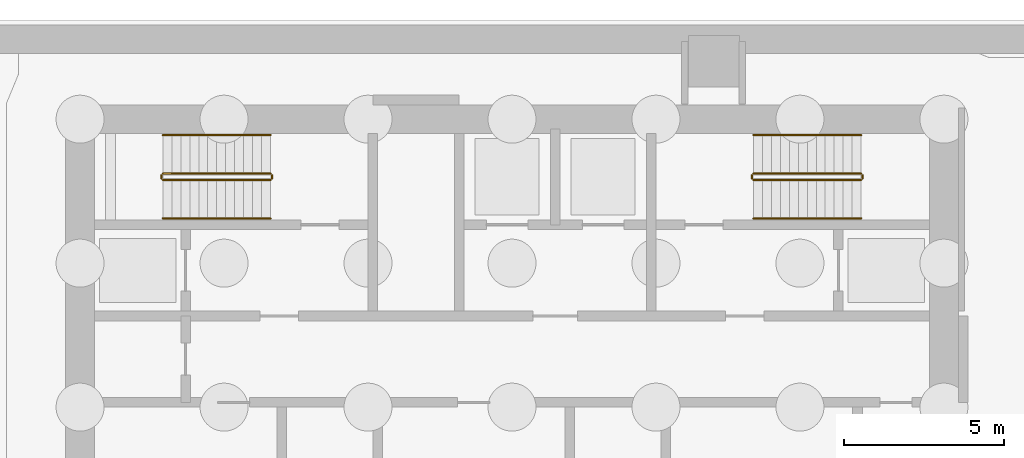
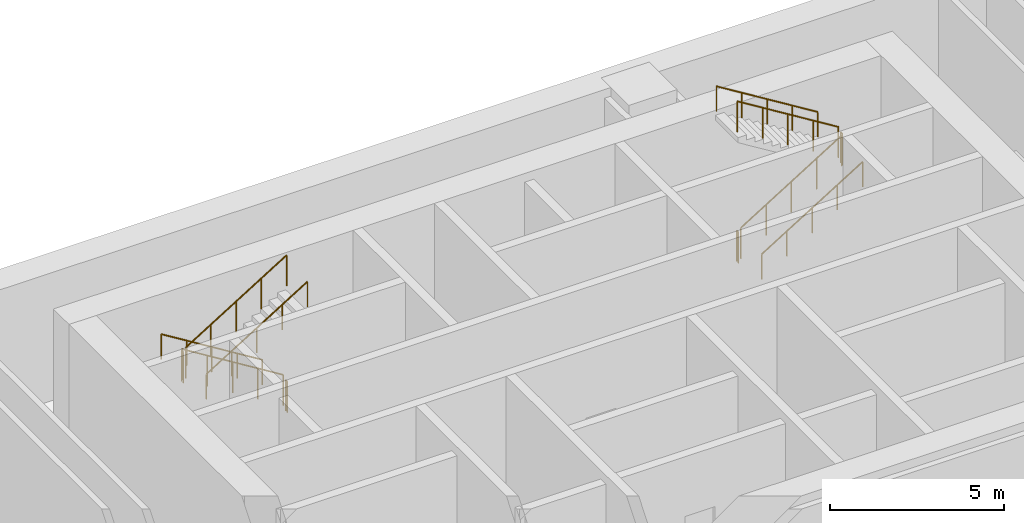
# One storey, part 11 of 13: 12 railings.
"""IFC4 building model written with IfcOpenShell, lengths in metres."""

from ifc_helpers import new_model, si_unit, direction, frame, origin, origin_2d, place, context, subcontext, project, spatial, circle, extrude, material, type_object, element, save


model = new_model("IFC4")

# Units and contexts
model_context = context("Model", 3, precision=1e-05, world=origin(), true_north=direction((0.0, 1.0)))
body_context = subcontext(model_context, "Body", "Model", "MODEL_VIEW")
ifc_project = project(units=[si_unit("LENGTHUNIT", "METRE"), si_unit("AREAUNIT", "SQUARE_METRE"), si_unit("VOLUMEUNIT", "CUBIC_METRE"), si_unit("PLANEANGLEUNIT", "RADIAN"), si_unit("MASSUNIT", "GRAM", prefix="KILO")], contexts=[model_context])

# Site, building, storey
site_placement = place(None, origin())
site = spatial("IfcSite", under=ifc_project, at=site_placement, CompositionType="ELEMENT")
building_placement = place(site_placement, origin())
building = spatial("IfcBuilding", under=site, at=building_placement, Name="Ogive Portal Towers", CompositionType="ELEMENT")
storey_placement = place(building_placement, frame((0.0, 0.0, -9.0)))
storey = spatial("IfcBuildingStorey", under=building, at=storey_placement, Name="B2", CompositionType="ELEMENT", Elevation=-9.0)

# Railings
ifc_material_1 = material(Name="Stainless steel balustrade", Category="steel")
railing_type_1 = type_object("IfcRailingType", Name="INT-GUARD", PredefinedType="GUARDRAIL", material=ifc_material_1)
railing_1_placement = place(storey_placement, frame((37.449951171875, 37.800048828125, 0.173095703125)))
element("IfcRailing", 1, at=railing_1_placement, inside=storey, type_object=railing_type_1, Name="B2 ST-A1 stair guard 1", PredefinedType="GUARDRAIL", context=body_context, shape_type="SweptSolid", body=[
    extrude(circle(Radius=0.02392578125, at=origin_2d()), frame((0.0, 0.0, 1.076171875), z_axis=(-0.850606129759, 0.0, 0.525803396734), x_axis=(0.0, -1.0, 0.0)), (0.0, 0.0, 1.0), 3.949951171875),
    extrude(circle(Radius=0.02099609375, at=origin_2d()), origin(), (0.0, 0.0, 1.0), 1.052001953125),
    extrude(circle(Radius=0.02099609375, at=origin_2d()), frame((-0.83984375, 0.0, 0.519287109375)), (0.0, 0.0, 1.0), 1.052001953125),
    extrude(circle(Radius=0.02099609375, at=origin_2d()), frame((-1.679931640625, 0.0, 1.03857421875)), (0.0, 0.0, 1.0), 1.052001953125),
    extrude(circle(Radius=0.02099609375, at=origin_2d()), frame((-2.52001953125, 0.0, 1.5576171875)), (0.0, 0.0, 1.0), 1.052001953125),
    extrude(circle(Radius=0.02099609375, at=origin_2d()), frame((-3.35986328125, 0.0, 2.076904296875)), (0.0, 0.0, 1.0), 1.052001953125),
])
railing_2_placement = place(storey_placement, frame((34.0400390625, 37.75, 2.25)))
element("IfcRailing", 2, at=railing_2_placement, inside=storey, type_object=railing_type_1, Name="B2 ST-A1 stair guard 2", PredefinedType="GUARDRAIL", context=body_context, shape_type="SweptSolid", body=[
    extrude(circle(Radius=0.02392578125, at=origin_2d()), frame((0.0, 0.0, 1.076171875), z_axis=(0.0, -1.0, 0.0), x_axis=(1.0, 0.0, 0.0)), (0.0, 0.0, 1.0), 0.10009765625),
    extrude(circle(Radius=0.02099609375, at=origin_2d()), origin(), (0.0, 0.0, 1.0), 1.052001953125),
    extrude(circle(Radius=0.02099609375, at=origin_2d()), frame((0.0, -0.10009765625, 0.0)), (0.0, 0.0, 1.0), 1.052001953125),
])
railing_3_placement = place(storey_placement, frame((34.090087890625, 37.60009765625, 2.423095703125)))
element("IfcRailing", 3, at=railing_3_placement, inside=storey, type_object=railing_type_1, Name="B2 ST-A1 stair guard 3", PredefinedType="GUARDRAIL", context=body_context, shape_type="SweptSolid", body=[
    extrude(circle(Radius=0.02392578125, at=origin_2d()), frame((0.0, 0.0, 1.076171875), z_axis=(0.850606129759, 0.0, 0.525803396734), x_axis=(0.0, 1.0, 0.0)), (0.0, 0.0, 1.0), 3.949951171875),
    extrude(circle(Radius=0.02099609375, at=origin_2d()), origin(), (0.0, 0.0, 1.0), 1.052001953125),
    extrude(circle(Radius=0.02099609375, at=origin_2d()), frame((0.83984375, 0.0, 0.519287109375)), (0.0, 0.0, 1.0), 1.052001953125),
    extrude(circle(Radius=0.02099609375, at=origin_2d()), frame((1.679931640625, 0.0, 1.03857421875)), (0.0, 0.0, 1.0), 1.052001953125),
    extrude(circle(Radius=0.02099609375, at=origin_2d()), frame((2.52001953125, 0.0, 1.5576171875)), (0.0, 0.0, 1.0), 1.052001953125),
    extrude(circle(Radius=0.02099609375, at=origin_2d()), frame((3.35986328125, 0.0, 2.076904296875)), (0.0, 0.0, 1.0), 1.052001953125),
])
railing_4_placement = place(storey_placement, frame((37.5, 37.75, 0.0)))
element("IfcRailing", 4, at=railing_4_placement, inside=storey, type_object=railing_type_1, Name="B2 ST-A1 stair guard 4", PredefinedType="GUARDRAIL", context=body_context, shape_type="SweptSolid", body=[
    extrude(circle(Radius=0.02392578125, at=origin_2d()), frame((0.0, 0.0, 1.076171875), z_axis=(0.0, -1.0, 0.0), x_axis=(1.0, 0.0, 0.0)), (0.0, 0.0, 1.0), 0.10009765625),
    extrude(circle(Radius=0.02099609375, at=origin_2d()), origin(), (0.0, 0.0, 1.0), 1.052001953125),
    extrude(circle(Radius=0.02099609375, at=origin_2d()), frame((0.0, -0.10009765625, 0.0)), (0.0, 0.0, 1.0), 1.052001953125),
])
railing_5_placement = place(storey_placement, frame((52.550048828125, 37.60009765625, 0.173095703125)))
element("IfcRailing", 5, at=railing_5_placement, inside=storey, type_object=railing_type_1, Name="B2 ST-A2 stair guard 1", PredefinedType="GUARDRAIL", context=body_context, shape_type="SweptSolid", body=[
    extrude(circle(Radius=0.02392578125, at=origin_2d()), frame((0.0, 0.0, 1.076171875), z_axis=(0.850606129759, 0.0, 0.525803396734), x_axis=(0.0, 1.0, 0.0)), (0.0, 0.0, 1.0), 3.949951171875),
    extrude(circle(Radius=0.02099609375, at=origin_2d()), origin(), (0.0, 0.0, 1.0), 1.052001953125),
    extrude(circle(Radius=0.02099609375, at=origin_2d()), frame((0.83984375, 0.0, 0.519287109375)), (0.0, 0.0, 1.0), 1.052001953125),
    extrude(circle(Radius=0.02099609375, at=origin_2d()), frame((1.679931640625, 0.0, 1.03857421875)), (0.0, 0.0, 1.0), 1.052001953125),
    extrude(circle(Radius=0.02099609375, at=origin_2d()), frame((2.52001953125, 0.0, 1.5576171875)), (0.0, 0.0, 1.0), 1.052001953125),
    extrude(circle(Radius=0.02099609375, at=origin_2d()), frame((3.35986328125, 0.0, 2.076904296875)), (0.0, 0.0, 1.0), 1.052001953125),
])
railing_6_placement = place(storey_placement, frame((55.9599609375, 37.64990234375, 2.25)))
element("IfcRailing", 6, at=railing_6_placement, inside=storey, type_object=railing_type_1, Name="B2 ST-A2 stair guard 2", PredefinedType="GUARDRAIL", context=body_context, shape_type="SweptSolid", body=[
    extrude(circle(Radius=0.02392578125, at=origin_2d()), frame((0.0, 0.0, 1.076171875), z_axis=(0.0, 1.0, 0.0), x_axis=(-1.0, 0.0, 0.0)), (0.0, 0.0, 1.0), 0.10009765625),
    extrude(circle(Radius=0.02099609375, at=origin_2d()), origin(), (0.0, 0.0, 1.0), 1.052001953125),
    extrude(circle(Radius=0.02099609375, at=origin_2d()), frame((0.0, 0.10009765625, 0.0)), (0.0, 0.0, 1.0), 1.052001953125),
])
railing_7_placement = place(storey_placement, frame((55.909912109375, 37.800048828125, 2.423095703125)))
element("IfcRailing", 7, at=railing_7_placement, inside=storey, type_object=railing_type_1, Name="B2 ST-A2 stair guard 3", PredefinedType="GUARDRAIL", context=body_context, shape_type="SweptSolid", body=[
    extrude(circle(Radius=0.02392578125, at=origin_2d()), frame((0.0, 0.0, 1.076171875), z_axis=(-0.850606129759, 0.0, 0.525803396734), x_axis=(0.0, -1.0, 0.0)), (0.0, 0.0, 1.0), 3.949951171875),
    extrude(circle(Radius=0.02099609375, at=origin_2d()), origin(), (0.0, 0.0, 1.0), 1.052001953125),
    extrude(circle(Radius=0.02099609375, at=origin_2d()), frame((-0.83984375, 0.0, 0.519287109375)), (0.0, 0.0, 1.0), 1.052001953125),
    extrude(circle(Radius=0.02099609375, at=origin_2d()), frame((-1.679931640625, 0.0, 1.03857421875)), (0.0, 0.0, 1.0), 1.052001953125),
    extrude(circle(Radius=0.02099609375, at=origin_2d()), frame((-2.52001953125, 0.0, 1.5576171875)), (0.0, 0.0, 1.0), 1.052001953125),
    extrude(circle(Radius=0.02099609375, at=origin_2d()), frame((-3.35986328125, 0.0, 2.076904296875)), (0.0, 0.0, 1.0), 1.052001953125),
])
railing_8_placement = place(storey_placement, frame((52.5, 37.64990234375, 0.0)))
element("IfcRailing", 8, at=railing_8_placement, inside=storey, type_object=railing_type_1, Name="B2 ST-A2 stair guard 4", PredefinedType="GUARDRAIL", context=body_context, shape_type="SweptSolid", body=[
    extrude(circle(Radius=0.02392578125, at=origin_2d()), frame((0.0, 0.0, 1.076171875), z_axis=(0.0, 1.0, 0.0), x_axis=(-1.0, 0.0, 0.0)), (0.0, 0.0, 1.0), 0.10009765625),
    extrude(circle(Radius=0.02099609375, at=origin_2d()), origin(), (0.0, 0.0, 1.0), 1.052001953125),
    extrude(circle(Radius=0.02099609375, at=origin_2d()), frame((0.0, 0.10009765625, 0.0)), (0.0, 0.0, 1.0), 1.052001953125),
])
ifc_material_2 = material(Name="Stainless steel handrail", Category="steel")
railing_type_2 = type_object("IfcRailingType", Name="INT-HANDRAIL", PredefinedType="HANDRAIL", material=ifc_material_2)
railing_9_placement = place(storey_placement, frame((37.449951171875, 39.0, 0.173095703125)))
element("IfcRailing", 9, at=railing_9_placement, inside=storey, type_object=railing_type_2, Name="B2 ST-A1 stair handrail 1", PredefinedType="HANDRAIL", context=body_context, shape_type="SweptSolid", body=[
    extrude(circle(Radius=0.02392578125, at=origin_2d()), frame((0.0, 0.0, 0.8759765625), z_axis=(-0.850606129759, 0.0, 0.525803396734), x_axis=(0.0, -1.0, 0.0)), (0.0, 0.0, 1.0), 3.949951171875),
    extrude(circle(Radius=0.02099609375, at=origin_2d()), origin(), (0.0, 0.0, 1.0), 0.851806640625),
    extrude(circle(Radius=0.02099609375, at=origin_2d()), frame((-0.83984375, 0.0, 0.519287109375)), (0.0, 0.0, 1.0), 0.851806640625),
    extrude(circle(Radius=0.02099609375, at=origin_2d()), frame((-1.679931640625, 0.0, 1.03857421875)), (0.0, 0.0, 1.0), 0.851806640625),
    extrude(circle(Radius=0.02099609375, at=origin_2d()), frame((-2.52001953125, 0.0, 1.5576171875)), (0.0, 0.0, 1.0), 0.851806640625),
    extrude(circle(Radius=0.02099609375, at=origin_2d()), frame((-3.35986328125, 0.0, 2.076904296875)), (0.0, 0.0, 1.0), 0.851806640625),
])
for number, where, name in (
    (10, (34.090087890625, 36.39990234375, 2.423095703125), "B2 ST-A1 stair handrail 2"),
    (11, (52.550048828125, 36.39990234375, 0.173095703125), "B2 ST-A2 stair handrail 1"),
):
    element("IfcRailing", number, at=place(storey_placement, frame(where)), inside=storey, type_object=railing_type_2, Name=name, PredefinedType="HANDRAIL", context=body_context, shape_type="SweptSolid", body=[
        extrude(circle(Radius=0.02392578125, at=origin_2d()), frame((0.0, 0.0, 0.8759765625), z_axis=(0.850606129759, 0.0, 0.525803396734), x_axis=(0.0, 1.0, 0.0)), (0.0, 0.0, 1.0), 3.949951171875),
        extrude(circle(Radius=0.02099609375, at=origin_2d()), origin(), (0.0, 0.0, 1.0), 0.851806640625),
        extrude(circle(Radius=0.02099609375, at=origin_2d()), frame((0.83984375, 0.0, 0.519287109375)), (0.0, 0.0, 1.0), 0.851806640625),
        extrude(circle(Radius=0.02099609375, at=origin_2d()), frame((1.679931640625, 0.0, 1.03857421875)), (0.0, 0.0, 1.0), 0.851806640625),
        extrude(circle(Radius=0.02099609375, at=origin_2d()), frame((2.52001953125, 0.0, 1.5576171875)), (0.0, 0.0, 1.0), 0.851806640625),
        extrude(circle(Radius=0.02099609375, at=origin_2d()), frame((3.35986328125, 0.0, 2.076904296875)), (0.0, 0.0, 1.0), 0.851806640625),
    ])
railing_10_placement = place(storey_placement, frame((55.909912109375, 39.0, 2.423095703125)))
element("IfcRailing", 12, at=railing_10_placement, inside=storey, type_object=railing_type_2, Name="B2 ST-A2 stair handrail 2", PredefinedType="HANDRAIL", context=body_context, shape_type="SweptSolid", body=[
    extrude(circle(Radius=0.02392578125, at=origin_2d()), frame((0.0, 0.0, 0.8759765625), z_axis=(-0.850606129759, 0.0, 0.525803396734), x_axis=(0.0, -1.0, 0.0)), (0.0, 0.0, 1.0), 3.949951171875),
    extrude(circle(Radius=0.02099609375, at=origin_2d()), origin(), (0.0, 0.0, 1.0), 0.851806640625),
    extrude(circle(Radius=0.02099609375, at=origin_2d()), frame((-0.83984375, 0.0, 0.519287109375)), (0.0, 0.0, 1.0), 0.851806640625),
    extrude(circle(Radius=0.02099609375, at=origin_2d()), frame((-1.679931640625, 0.0, 1.03857421875)), (0.0, 0.0, 1.0), 0.851806640625),
    extrude(circle(Radius=0.02099609375, at=origin_2d()), frame((-2.52001953125, 0.0, 1.5576171875)), (0.0, 0.0, 1.0), 0.851806640625),
    extrude(circle(Radius=0.02099609375, at=origin_2d()), frame((-3.35986328125, 0.0, 2.076904296875)), (0.0, 0.0, 1.0), 0.851806640625),
])

save(model, "model.ifc")
